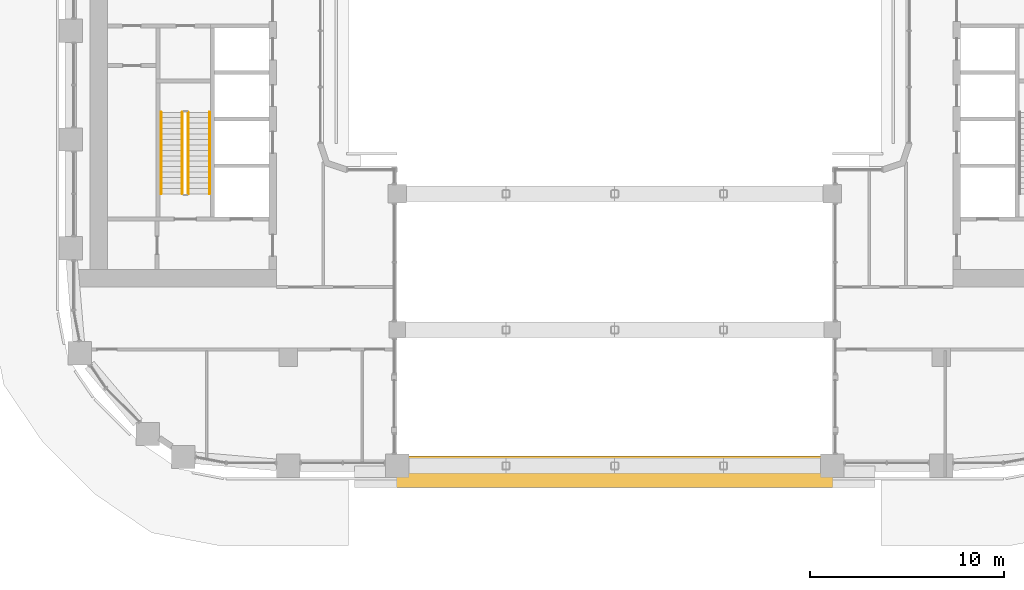
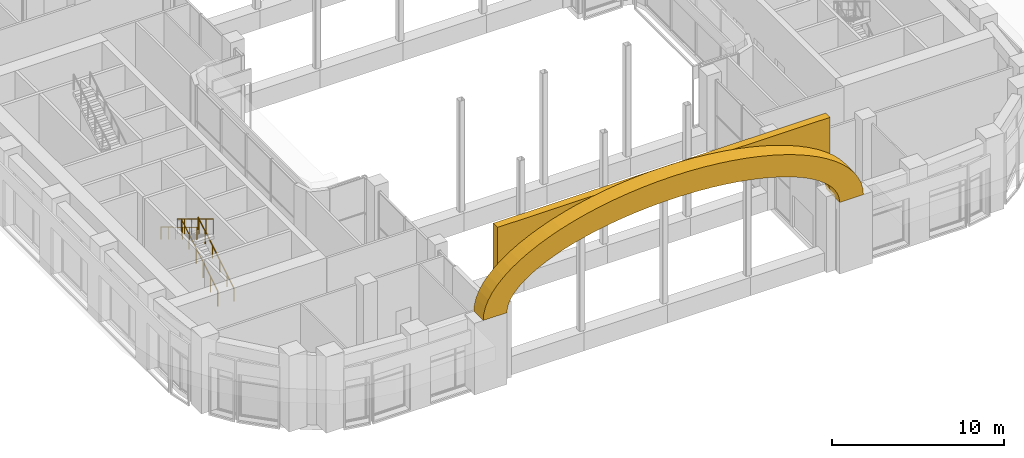
# One storey, part 20 of 28: 4 railings, 2 coverings.
"""IFC4 building model written with IfcOpenShell, lengths in metres."""

from ifc_helpers import new_model, si_unit, direction, frame, origin, origin_2d, place, context, subcontext, project, spatial, polyline, circle, outline, extrude, material, layer, layer_set, type_object, element, save


model = new_model("IFC4")

# Units and contexts
model_context = context("Model", 3, precision=1e-05, world=origin(), true_north=direction((0.0, 1.0)))
body_context = subcontext(model_context, "Body", "Model", "MODEL_VIEW")
ifc_project = project(units=[si_unit("LENGTHUNIT", "METRE"), si_unit("AREAUNIT", "SQUARE_METRE"), si_unit("VOLUMEUNIT", "CUBIC_METRE"), si_unit("PLANEANGLEUNIT", "RADIAN"), si_unit("MASSUNIT", "GRAM", prefix="KILO")], contexts=[model_context])

# Site, building, storey
site_placement = place(None, origin())
site = spatial("IfcSite", under=ifc_project, at=site_placement, CompositionType="ELEMENT")
building_placement = place(site_placement, origin())
building = spatial("IfcBuilding", under=site, at=building_placement, Name="Kiln Ring Residences", CompositionType="ELEMENT")
storey_placement = place(building_placement, frame((0.0, 0.0, 125.300048828125)))
storey = spatial("IfcBuildingStorey", under=building, at=storey_placement, Name="L32", CompositionType="ELEMENT", Elevation=125.300048828125)

# Railings
ifc_material_1 = material(Name="Stainless steel", Category="steel")
railing_type_1 = type_object("IfcRailingType", Name="CORE-STAIR-GUARD", PredefinedType="GUARDRAIL", material=ifc_material_1)
railing_1_placement = place(storey_placement, frame((-21.949951171875, -8.39990234375, 0.168701171875)))
element("IfcRailing", 1, at=railing_1_placement, inside=storey, type_object=railing_type_1, Name="L32 W-STS stair guard 1", PredefinedType="GUARDRAIL", context=body_context, shape_type="SweptSolid", body=[
    extrude(circle(Radius=0.02392578125, at=origin_2d()), frame((0.0, 0.0, 1.076171875), z_axis=(0.0, 0.856476492594, 0.516186030065), x_axis=(-1.0, 0.0, 0.0)), (0.0, 0.0, 1.0), 4.90380859375),
    extrude(circle(Radius=0.02099609375, at=origin_2d()), origin(), (0.0, 0.0, 1.0), 1.052001953125),
    extrude(circle(Radius=0.02099609375, at=origin_2d()), frame((0.0, 0.840087890625, 0.50634765625)), (0.0, 0.0, 1.0), 1.052001953125),
    extrude(circle(Radius=0.02099609375, at=origin_2d()), frame((0.0, 1.679931640625, 1.012451171875)), (0.0, 0.0, 1.0), 1.052001953125),
    extrude(circle(Radius=0.02099609375, at=origin_2d()), frame((0.0, 2.52001953125, 1.518798828125)), (0.0, 0.0, 1.0), 1.052001953125),
    extrude(circle(Radius=0.02099609375, at=origin_2d()), frame((0.0, 3.35986328125, 2.02490234375)), (0.0, 0.0, 1.0), 1.052001953125),
    extrude(circle(Radius=0.02099609375, at=origin_2d()), frame((0.0, 4.199951171875, 2.53125)), (0.0, 0.0, 1.0), 1.052001953125),
])
railing_2_placement = place(storey_placement, frame((-22.25, -4.199951171875, 2.86865234375)))
element("IfcRailing", 2, at=railing_2_placement, inside=storey, type_object=railing_type_1, Name="L32 W-STS stair guard 3", PredefinedType="GUARDRAIL", context=body_context, shape_type="SweptSolid", body=[
    extrude(circle(Radius=0.02392578125, at=origin_2d()), frame((0.0, 0.0, 1.076171875), z_axis=(0.0, -0.856476492594, 0.516186030065), x_axis=(1.0, 0.0, 0.0)), (0.0, 0.0, 1.0), 4.90380859375),
    extrude(circle(Radius=0.02099609375, at=origin_2d()), origin(), (0.0, 0.0, 1.0), 1.052001953125),
    extrude(circle(Radius=0.02099609375, at=origin_2d()), frame((0.0, -0.840087890625, 0.50634765625)), (0.0, 0.0, 1.0), 1.052001953125),
    extrude(circle(Radius=0.02099609375, at=origin_2d()), frame((0.0, -1.679931640625, 1.012451171875)), (0.0, 0.0, 1.0), 1.052001953125),
    extrude(circle(Radius=0.02099609375, at=origin_2d()), frame((0.0, -2.52001953125, 1.518798828125)), (0.0, 0.0, 1.0), 1.052001953125),
    extrude(circle(Radius=0.02099609375, at=origin_2d()), frame((0.0, -3.35986328125, 2.02490234375)), (0.0, 0.0, 1.0), 1.052001953125),
    extrude(circle(Radius=0.02099609375, at=origin_2d()), frame((0.0, -4.199951171875, 2.53125)), (0.0, 0.0, 1.0), 1.052001953125),
])
ifc_material_2 = material(Name="Stainless steel", Category="steel")
railing_type_2 = type_object("IfcRailingType", Name="CORE-STAIR-HANDRAIL", PredefinedType="HANDRAIL", material=ifc_material_2)
railing_3_placement = place(storey_placement, frame((-20.85009765625, -8.39990234375, 0.168701171875)))
element("IfcRailing", 3, at=railing_3_placement, inside=storey, type_object=railing_type_2, Name="L32 W-STS stair handrail 1", PredefinedType="HANDRAIL", context=body_context, shape_type="SweptSolid", body=[
    extrude(circle(Radius=0.02392578125, at=origin_2d()), frame((0.0, 0.0, 0.8759765625), z_axis=(0.0, 0.856476492594, 0.516186030065), x_axis=(-1.0, 0.0, 0.0)), (0.0, 0.0, 1.0), 4.90380859375),
    extrude(circle(Radius=0.02099609375, at=origin_2d()), origin(), (0.0, 0.0, 1.0), 0.851806640625),
    extrude(circle(Radius=0.02099609375, at=origin_2d()), frame((0.0, 0.840087890625, 0.50634765625)), (0.0, 0.0, 1.0), 0.851806640625),
    extrude(circle(Radius=0.02099609375, at=origin_2d()), frame((0.0, 1.679931640625, 1.012451171875)), (0.0, 0.0, 1.0), 0.851806640625),
    extrude(circle(Radius=0.02099609375, at=origin_2d()), frame((0.0, 2.52001953125, 1.518798828125)), (0.0, 0.0, 1.0), 0.851806640625),
    extrude(circle(Radius=0.02099609375, at=origin_2d()), frame((0.0, 3.35986328125, 2.02490234375)), (0.0, 0.0, 1.0), 0.851806640625),
    extrude(circle(Radius=0.02099609375, at=origin_2d()), frame((0.0, 4.199951171875, 2.53125)), (0.0, 0.0, 1.0), 0.851806640625),
])
railing_4_placement = place(storey_placement, frame((-23.35009765625, -4.199951171875, 2.86865234375)))
element("IfcRailing", 4, at=railing_4_placement, inside=storey, type_object=railing_type_2, Name="L32 W-STS stair handrail 2", PredefinedType="HANDRAIL", context=body_context, shape_type="SweptSolid", body=[
    extrude(circle(Radius=0.02392578125, at=origin_2d()), frame((0.0, 0.0, 0.8759765625), z_axis=(0.0, -0.856476492594, 0.516186030065), x_axis=(1.0, 0.0, 0.0)), (0.0, 0.0, 1.0), 4.90380859375),
    extrude(circle(Radius=0.02099609375, at=origin_2d()), origin(), (0.0, 0.0, 1.0), 0.851806640625),
    extrude(circle(Radius=0.02099609375, at=origin_2d()), frame((0.0, -0.840087890625, 0.50634765625)), (0.0, 0.0, 1.0), 0.851806640625),
    extrude(circle(Radius=0.02099609375, at=origin_2d()), frame((0.0, -1.679931640625, 1.012451171875)), (0.0, 0.0, 1.0), 0.851806640625),
    extrude(circle(Radius=0.02099609375, at=origin_2d()), frame((0.0, -2.52001953125, 1.518798828125)), (0.0, 0.0, 1.0), 0.851806640625),
    extrude(circle(Radius=0.02099609375, at=origin_2d()), frame((0.0, -3.35986328125, 2.02490234375)), (0.0, 0.0, 1.0), 0.851806640625),
    extrude(circle(Radius=0.02099609375, at=origin_2d()), frame((0.0, -4.199951171875, 2.53125)), (0.0, 0.0, 1.0), 0.851806640625),
])

# Coverings
ifc_material_3 = material(Name="Concrete C35/45, exposed aggregate finish", Category="concrete")
covering_type_1 = type_object("IfcCoveringType", Name="PORTAL ARCHIVOLT 700", PredefinedType="CLADDING", material=ifc_material_3)
covering_1_placement = place(storey_placement, frame((12.800048828125, -22.949951171875, 5.099853515625), z_axis=(0.0, 0.0, 1.0), x_axis=(-1.0, 0.0, 0.0)))
element("IfcCovering", 5, at=covering_1_placement, inside=storey, type_object=covering_type_1, Name="PORTAL ARCHIVOLT L32", PredefinedType="CLADDING", context=body_context, shape_type="SweptSolid", body=[
    extrude(outline(polyline([(0.0, 0.0), (0.03955078125, 0.455078125), (0.15771484375, 0.907470703125), (0.353759765625, 1.35400390625), (0.62646484375, 1.79248046875), (0.974365234375, 2.2197265625), (1.39501953125, 2.63330078125), (1.88623046875, 3.030517578125), (2.444580078125, 3.4091796875), (3.06689453125, 3.766845703125), (3.7490234375, 4.101318359375), (4.487060546875, 4.410400390625), (5.2763671875, 4.6923828125), (6.112060546875, 4.9453125), (6.989013671875, 5.16796875), (7.901611328125, 5.358642578125), (8.844482421875, 5.51611328125), (9.81201171875, 5.639892578125), (10.797607421875, 5.728759765625), (11.795654296875, 5.7822265625), (12.800048828125, 5.800048828125), (13.80419921875, 5.7822265625), (14.802490234375, 5.728759765625), (15.7880859375, 5.639892578125), (16.75537109375, 5.51611328125), (17.6982421875, 5.358642578125), (18.611083984375, 5.16796875), (19.488037109375, 4.9453125), (20.32373046875, 4.6923828125), (21.11279296875, 4.410400390625), (21.85107421875, 4.101318359375), (22.533203125, 3.766845703125), (23.155517578125, 3.4091796875), (23.7138671875, 3.030517578125), (24.204833984375, 2.63330078125), (24.625732421875, 2.2197265625), (24.973388671875, 1.79248046875), (25.246337890625, 1.35400390625), (25.4423828125, 0.907470703125), (25.560546875, 0.455078125), (25.60009765625, 0.0), (24.0, 0.0), (23.965576171875, 0.32958984375), (23.862060546875, 0.656982421875), (23.6904296875, 0.980712890625), (23.451904296875, 1.298095703125), (23.1474609375, 1.607421875), (22.779296875, 1.906982421875), (22.349609375, 2.194580078125), (21.861083984375, 2.46875), (21.31640625, 2.727783203125), (20.719482421875, 2.969970703125), (20.07373046875, 3.19384765625), (19.38330078125, 3.39794921875), (18.652099609375, 3.581298828125), (17.884765625, 3.7421875), (17.086181640625, 3.88037109375), (16.260986328125, 3.994384765625), (15.41455078125, 4.083984375), (14.552001953125, 4.1484375), (13.6787109375, 4.187255859375), (12.800048828125, 4.2001953125), (11.92138671875, 4.187255859375), (11.0478515625, 4.1484375), (10.185302734375, 4.083984375), (9.339111328125, 3.994384765625), (8.513916015625, 3.88037109375), (7.71533203125, 3.7421875), (6.947998046875, 3.581298828125), (6.216796875, 3.39794921875), (5.526123046875, 3.19384765625), (4.88037109375, 2.969970703125), (4.283447265625, 2.727783203125), (3.739013671875, 2.46875), (3.25048828125, 2.194580078125), (2.82080078125, 1.906982421875), (2.452392578125, 1.607421875), (2.148193359375, 1.298095703125), (1.909423828125, 0.980712890625), (1.73779296875, 0.656982421875), (1.634521484375, 0.32958984375), (1.60009765625, 0.0), (0.0, 0.0)])), frame((0.0, 0.550048828125, 0.0), z_axis=(0.0, -1.0, 0.0), x_axis=(1.0, 0.0, 0.0)), (0.0, 0.0, 1.0), 1.10009765625),
])
ifc_material_4 = material(Name="Concrete C35/45, exposed aggregate finish", Category="concrete")
ifc_layer = layer(ifc_material_4, 0.5)
ifc_layer_set = layer_set([ifc_layer], Name="PORTAL TYMPANUM 500")
covering_type_2 = type_object("IfcCoveringType", Name="PORTAL TYMPANUM 500", PredefinedType="CLADDING", material=ifc_layer_set)
covering_2_placement = place(storey_placement, frame((11.199951171875, -22.14990234375, 5.099853515625), z_axis=(0.0, 0.0, 1.0), x_axis=(-1.0, 0.0, 0.0)))
element("IfcCovering", 6, at=covering_2_placement, inside=storey, type_object=covering_type_2, Name="PORTAL TYMPANUM L32", PredefinedType="CLADDING", context=body_context, shape_type="SweptSolid", body=[
    extrude(outline(polyline([(22.39990234375, 0.0), (22.39990234375, 5.400146484375), (0.0, 5.400146484375), (0.0, 0.0), (0.034423828125, 0.32958984375), (0.137939453125, 0.656982421875), (0.3095703125, 0.980712890625), (0.548095703125, 1.298095703125), (0.8525390625, 1.607421875), (1.220703125, 1.906982421875), (1.650390625, 2.194580078125), (2.138916015625, 2.46875), (2.68359375, 2.727783203125), (3.280517578125, 2.969970703125), (3.92626953125, 3.19384765625), (4.61669921875, 3.39794921875), (5.347900390625, 3.581298828125), (6.115234375, 3.7421875), (6.913818359375, 3.88037109375), (7.739013671875, 3.994384765625), (8.58544921875, 4.083984375), (9.447998046875, 4.1484375), (10.3212890625, 4.187255859375), (11.199951171875, 4.2001953125), (12.07861328125, 4.187255859375), (12.9521484375, 4.1484375), (13.814697265625, 4.083984375), (14.660888671875, 3.994384765625), (15.486083984375, 3.88037109375), (16.28466796875, 3.7421875), (17.052001953125, 3.581298828125), (17.783203125, 3.39794921875), (18.473876953125, 3.19384765625), (19.11962890625, 2.969970703125), (19.716552734375, 2.727783203125), (20.260986328125, 2.46875), (20.74951171875, 2.194580078125), (21.17919921875, 1.906982421875), (21.547607421875, 1.607421875), (21.851806640625, 1.298095703125), (22.090576171875, 0.980712890625), (22.26220703125, 0.656982421875), (22.365478515625, 0.32958984375), (22.39990234375, 0.0)])), frame((0.0, 0.25, 0.0), z_axis=(0.0, -1.0, 0.0), x_axis=(1.0, 0.0, 0.0)), (0.0, 0.0, 1.0), 0.5),
])

save(model, "model.ifc")
